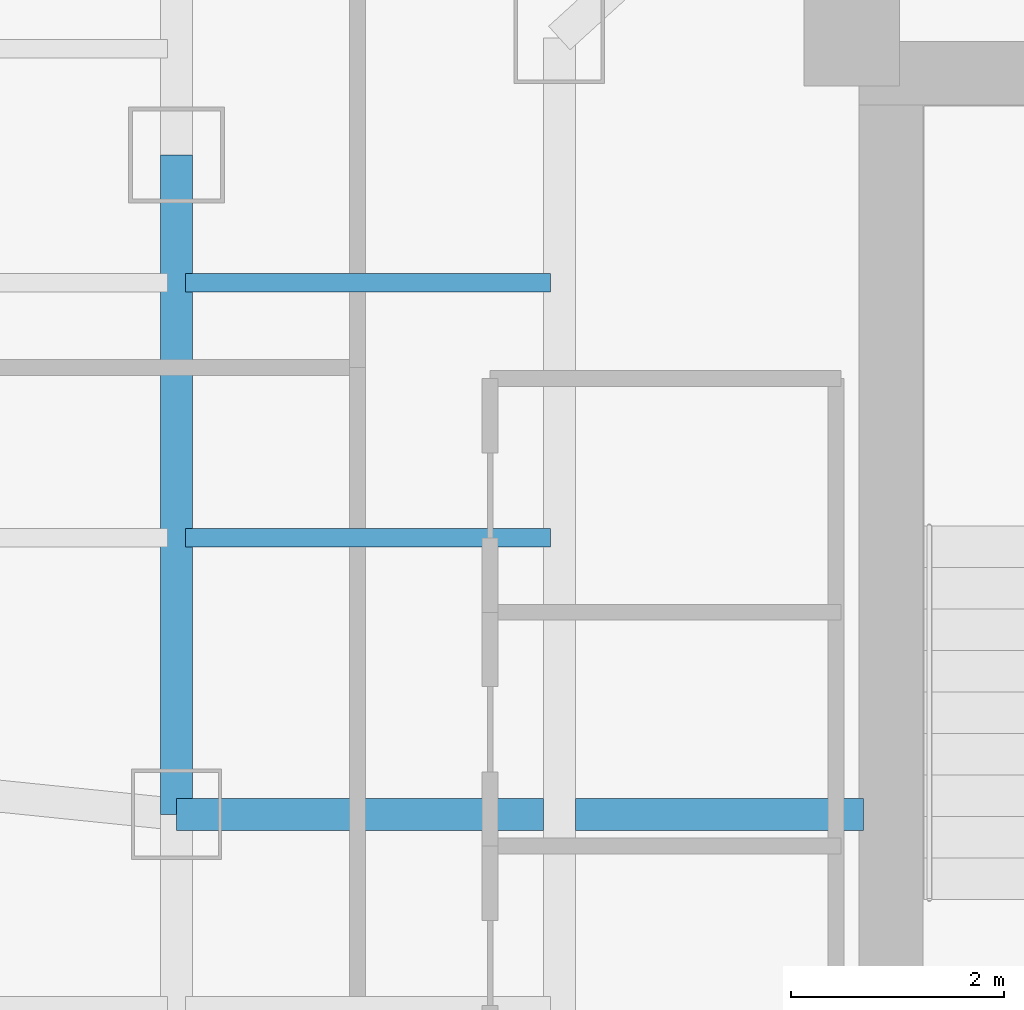
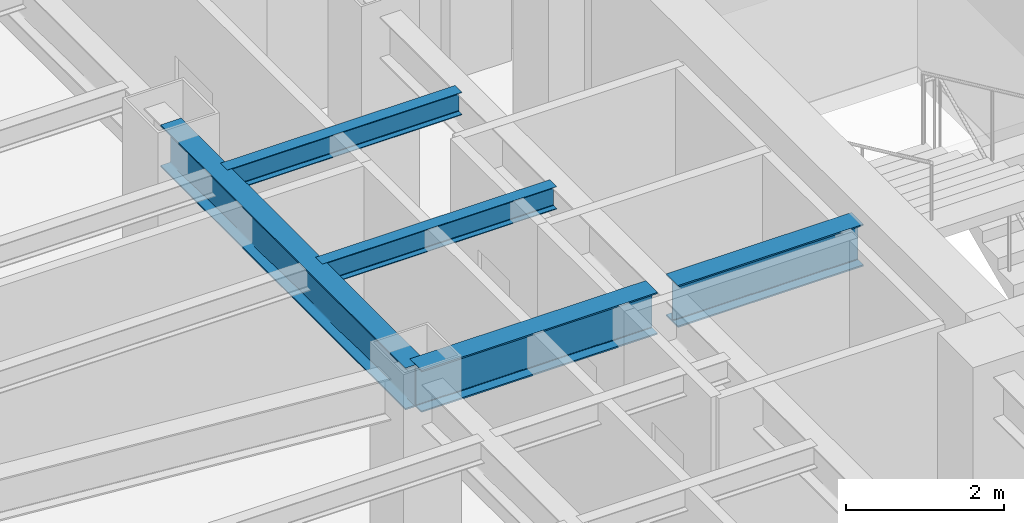
# One storey, part 16 of 30: 5 beams.
"""IFC4 building model written with IfcOpenShell, lengths in metres."""

from ifc_helpers import new_model, si_unit, direction, frame, origin, origin_2d, place, context, subcontext, project, spatial, i_section, extrude, material, material_profile, profile_set, type_object, element, save


model = new_model("IFC4")

# Units and contexts
model_context = context("Model", 3, precision=1e-05, world=origin(), true_north=direction((0.0, 1.0)))
body_context = subcontext(model_context, "Body", "Model", "MODEL_VIEW")
ifc_project = project(units=[si_unit("LENGTHUNIT", "METRE"), si_unit("AREAUNIT", "SQUARE_METRE"), si_unit("VOLUMEUNIT", "CUBIC_METRE"), si_unit("PLANEANGLEUNIT", "RADIAN"), si_unit("MASSUNIT", "GRAM", prefix="KILO")], contexts=[model_context])

# Site, building, storey
site_placement = place(None, origin())
site = spatial("IfcSite", under=ifc_project, at=site_placement, CompositionType="ELEMENT")
building_placement = place(site_placement, origin())
building = spatial("IfcBuilding", under=site, at=building_placement, Name="Hatsunagi Terrace Concourse", CompositionType="ELEMENT")
storey_placement = place(building_placement, frame((0.0, 0.0, 101.25)))
storey = spatial("IfcBuildingStorey", under=building, at=storey_placement, Name="L26", CompositionType="ELEMENT", Elevation=101.25)

# Beams
ifc_material_1 = material(Name="Steel SN490B", Category="steel")
ifc_material_profile_1 = material_profile(ifc_material_1, i_section(OverallWidth=0.175048828125, OverallDepth=0.35009765625, WebThickness=0.007080078125, FlangeThickness=0.010986328125, FilletRadius=0.012939453125, at=origin_2d()), Name="H-350x175x7x11")
ifc_profile_set_1 = profile_set([ifc_material_profile_1], Name="Steel SN490B")
beam_type_1 = type_object("IfcBeamType", Name="HotelJoist_H_350x175", PredefinedType="JOIST", material=ifc_profile_set_1)
for number, where, z_axis, x_axis, name in (
    (1, (19.284912109375, 38.60009765625, 3.175048828125), (1.0, 0.0, 0.0), (0.0, 1.0, 0.0), "Beam J-02 J-L26-W-19-386"),
    (2, (19.284912109375, 41.0, 3.175048828125), (1.0, 0.0, 0.0), (0.0, 1.0, 0.0), "Beam J-02 J-L26-W-19-410"),
):
    element("IfcBeam", number, at=place(storey_placement, frame(where, z_axis=z_axis, x_axis=x_axis)), inside=storey, type_object=beam_type_1, Name=name, PredefinedType="JOIST", context=body_context, shape_type="SweptSolid", body=[
        extrude(i_section(OverallWidth=0.175048828125, OverallDepth=0.35009765625, WebThickness=0.007080078125, FlangeThickness=0.010986328125, FilletRadius=0.012939453125, at=origin_2d()), origin(), (0.0, 0.0, 1.0), 3.43017578125),
    ])
ifc_material_2 = material(Name="Steel SN490B", Category="steel")
ifc_material_profile_2 = material_profile(ifc_material_2, i_section(OverallWidth=0.300048828125, OverallDepth=0.64990234375, WebThickness=0.012939453125, FlangeThickness=0.02197265625, FilletRadius=0.01806640625, at=origin_2d()), Name="H-650x300x13x22")
ifc_profile_set_2 = profile_set([ifc_material_profile_2], Name="Steel SN490B")
beam_type_2 = type_object("IfcBeamType", Name="OfficeLowGirder_H_650x300", PredefinedType="BEAM", material=ifc_profile_set_2)
beam_1_placement = place(storey_placement, frame((19.199951171875, 36.0, 3.02490234375), z_axis=(0.0, 1.0, 0.0), x_axis=(-1.0, 0.0, 0.0)))
element("IfcBeam", 3, at=beam_1_placement, inside=storey, type_object=beam_type_2, Name="Beam G-05 BM-L26-NS-19-36", PredefinedType="BEAM", context=body_context, shape_type="SweptSolid", body=[
    extrude(i_section(OverallWidth=0.300048828125, OverallDepth=0.64990234375, WebThickness=0.012939453125, FlangeThickness=0.02197265625, FilletRadius=0.01806640625, at=origin_2d()), origin(), (0.0, 0.0, 1.0), 6.199951171875),
])
beam_2_placement = place(storey_placement, frame((19.199951171875, 36.0, 3.02490234375), z_axis=(1.0, 0.0, 0.0), x_axis=(0.0, 1.0, 0.0)))
element("IfcBeam", 4, at=beam_2_placement, inside=storey, type_object=beam_type_2, Name="Beam G-05 BM-L26-EW-3", PredefinedType="BEAM", context=body_context, shape_type="SweptSolid", body=[
    extrude(i_section(OverallWidth=0.300048828125, OverallDepth=0.64990234375, WebThickness=0.012939453125, FlangeThickness=0.02197265625, FilletRadius=0.01806640625, at=origin_2d()), origin(), (0.0, 0.0, 1.0), 3.449951171875),
])
beam_3_placement = place(storey_placement, frame((22.949951171875, 36.0, 3.02490234375), z_axis=(1.0, 0.0, 0.0), x_axis=(0.0, 1.0, 0.0)))
element("IfcBeam", 5, at=beam_3_placement, inside=storey, type_object=beam_type_2, Name="Beam G-05 BM-L26-EW-4", PredefinedType="BEAM", context=body_context, shape_type="SweptSolid", body=[
    extrude(i_section(OverallWidth=0.300048828125, OverallDepth=0.64990234375, WebThickness=0.012939453125, FlangeThickness=0.02197265625, FilletRadius=0.01806640625, at=origin_2d()), origin(), (0.0, 0.0, 1.0), 2.7099609375),
])

save(model, "model.ifc")
